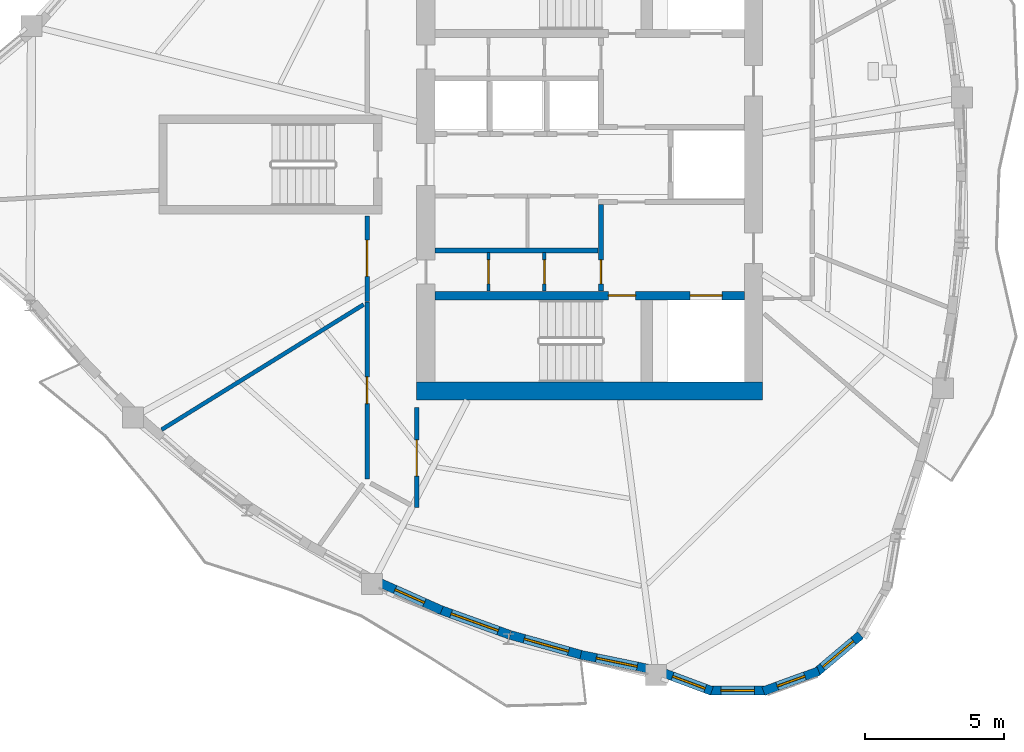
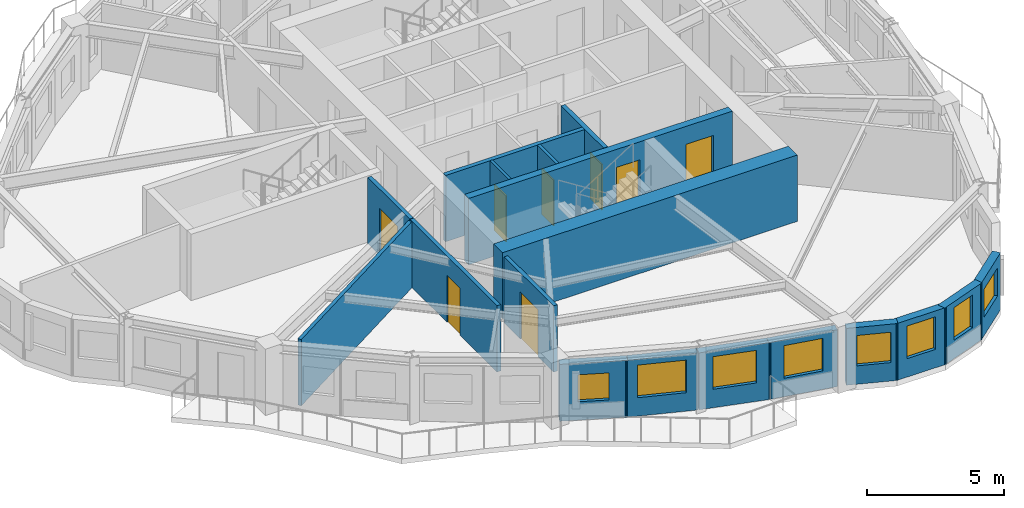
# One storey, part 3 of 12: 18 walls, 8 doors, 8 windows, 16 openings.
"""IFC4 building model written with IfcOpenShell, lengths in metres."""

from ifc_helpers import new_model, si_unit, direction, frame, frame_2d, origin, place, context, subcontext, project, spatial, rectangle, extrude, source, transform, mapped, material, layer, layer_set, type_object, element, fill, save


model = new_model("IFC4")

# Units and contexts
model_context = context("Model", 3, precision=1e-05, world=origin(), true_north=direction((0.0, 1.0)))
body_context = subcontext(model_context, "Body", "Model", "MODEL_VIEW")
ifc_project = project(units=[si_unit("LENGTHUNIT", "METRE"), si_unit("AREAUNIT", "SQUARE_METRE"), si_unit("VOLUMEUNIT", "CUBIC_METRE"), si_unit("PLANEANGLEUNIT", "RADIAN"), si_unit("MASSUNIT", "GRAM", prefix="KILO")], contexts=[model_context])

# Site, building, storey
site_placement = place(None, origin())
site = spatial("IfcSite", under=ifc_project, at=site_placement, CompositionType="ELEMENT")
building_placement = place(site_placement, origin())
building = spatial("IfcBuilding", under=site, at=building_placement, Name="Qafzar Sky-Pleat Residences", CompositionType="ELEMENT")
storey_placement = place(building_placement, frame((0.0, 0.0, 184.199951171875)))
storey = spatial("IfcBuildingStorey", under=building, at=storey_placement, Name="L55", CompositionType="ELEMENT", Elevation=184.199951171875)

# Wall, opening, door
ifc_material_1 = material(Name="Acoustic gypsum plasterboard partition", Category="gypsum")
ifc_layer_1 = layer(ifc_material_1, 0.159912109375)
ifc_layer_set_1 = layer_set([ifc_layer_1], Name="Acoustic gypsum plasterboard partition")
wall_type_1 = type_object("IfcWallType", Name="PART-COR-160", PredefinedType="PARTITIONING", material=ifc_layer_set_1)
wall_1_placement = place(storey_placement, frame((22.3701171875, 14.72998046875, 0.0), z_axis=(0.0, 0.0, 1.0), x_axis=(0.0, 1.0, 0.0)))
wall_1 = element("IfcWall", 1, at=wall_1_placement, inside=storey, type_object=wall_type_1, Name="L55 Partition Wall PART-L55-PW-002", PredefinedType="PARTITIONING", context=body_context, shape_type="SweptSolid", body=[
    extrude(rectangle(XDim=6.344970703125, YDim=0.159912109375, at=frame_2d((3.17236328125, 0.0))), origin(), (0.0, 0.0, 1.0), 2.949951171875),
])
opening_1_placement = place(wall_1_placement, frame((2.696533203125, 0.0, 0.0)))
opening_1 = element("IfcOpeningElement", 2, at=opening_1_placement, cuts=wall_1, Name="Opening ID-06", PredefinedType="OPENING", context=body_context, shape_type="SweptSolid", body=[
    extrude(rectangle(XDim=0.9599609375, YDim=2.10009765625, at=frame_2d((0.47998046875, 1.050048828125))), frame((0.0, 0.08984375, 0.0), z_axis=(0.0, -1.0, 0.0), x_axis=(1.0, 0.0, 0.0)), (0.0, 0.0, 1.0), 0.179931640625),
])
ifc_material_2 = material(Name="Timber-faced fire door", Category="wood")
door_type_1 = type_object("IfcDoorType", Name="DR-STD-960", OperationType="NOTDEFINED", PredefinedType="DOOR", material=ifc_material_2)
shared_shape_1 = source(origin(), body_context, "Body", "SweptSolid", [
    extrude(rectangle(XDim=0.9599609375, YDim=2.10009765625, at=frame_2d((0.47998046875, 1.050048828125))), frame((0.0, 0.02490234375, 0.0), z_axis=(0.0, -1.0, 0.0), x_axis=(1.0, 0.0, 0.0)), (0.0, 0.0, 1.0), 0.050048828125),
])
door_1_placement = place(opening_1_placement, origin())
door_1 = element("IfcDoor", 3, at=door_1_placement, inside=storey, type_object=door_type_1, Name="L55 Graduate Desk Workspace Door", OperationType="SINGLE_SWING_RIGHT", OverallHeight=2.10009765625, OverallWidth=0.9599609375, PredefinedType="DOOR", context=body_context, shape_type="MappedRepresentation", body=[
    mapped(shared_shape_1, transform((0.0, 0.0, 0.0), x_axis=(1.0, 0.0, 0.0), y_axis=(0.0, 1.0, 0.0), z_axis=(0.0, 0.0, 1.0), scale=1.0)),
])
fill(opening_1, door_1)

wall_2_placement = place(storey_placement, frame((24.14990234375, 17.2900390625, 0.0), z_axis=(0.0, 0.0, 1.0), x_axis=(0.0, -1.0, 0.0)))
wall_2 = element("IfcWall", 4, at=wall_2_placement, inside=storey, type_object=wall_type_1, Name="L55 Partition Wall PART-L55-PW-007", PredefinedType="PARTITIONING", context=body_context, shape_type="SweptSolid", body=[
    extrude(rectangle(XDim=3.593017578125, YDim=0.159912109375, at=frame_2d((1.79638671875, 0.0))), origin(), (0.0, 0.0, 1.0), 2.949951171875),
])
opening_2_placement = place(wall_2_placement, frame((1.159423828125, 0.0, 0.0)))
opening_2 = element("IfcOpeningElement", 5, at=opening_2_placement, cuts=wall_2, Name="Opening ID-05", PredefinedType="OPENING", context=body_context, shape_type="SweptSolid", body=[
    extrude(rectangle(XDim=1.300048828125, YDim=2.10009765625, at=frame_2d((0.64990234375, 1.050048828125))), frame((0.0, 0.08984375, 0.0), z_axis=(0.0, -1.0, 0.0), x_axis=(1.0, 0.0, 0.0)), (0.0, 0.0, 1.0), 0.179931640625),
])
door_type_2 = type_object("IfcDoorType", Name="DR-LNG-1300", OperationType="DOUBLE_DOOR_SINGLE_SWING", PredefinedType="DOOR", material=ifc_material_2)
shared_shape_2 = source(origin(), body_context, "Body", "SweptSolid", [
    extrude(rectangle(XDim=1.300048828125, YDim=2.10009765625, at=frame_2d((0.64990234375, 1.050048828125))), frame((0.0, 0.02490234375, 0.0), z_axis=(0.0, -1.0, 0.0), x_axis=(1.0, 0.0, 0.0)), (0.0, 0.0, 1.0), 0.050048828125),
])
door_2_placement = place(opening_2_placement, origin())
door_2 = element("IfcDoor", 6, at=door_2_placement, inside=storey, type_object=door_type_2, Name="L55 Academic Seminar Room Door", OperationType="DOUBLE_DOOR_SINGLE_SWING", OverallHeight=2.10009765625, OverallWidth=1.300048828125, PredefinedType="DOOR", context=body_context, shape_type="MappedRepresentation", body=[
    mapped(shared_shape_2, transform((0.0, 0.0, 0.0), x_axis=(1.0, 0.0, 0.0), y_axis=(0.0, 1.0, 0.0), z_axis=(0.0, 0.0, 1.0), scale=1.0)),
])
fill(opening_2, door_2)

wall_3_placement = place(storey_placement, frame((22.3701171875, 21.090087890625, 0.0), z_axis=(0.0, 0.0, 1.0), x_axis=(0.0, 1.0, 0.0)))
wall_3 = element("IfcWall", 7, at=wall_3_placement, inside=storey, type_object=wall_type_1, Name="L55 Partition Wall PART-L55-PW-009", PredefinedType="PARTITIONING", context=body_context, shape_type="SweptSolid", body=[
    extrude(rectangle(XDim=3.059814453125, YDim=0.159912109375, at=frame_2d((1.52978515625, 0.0))), origin(), (0.0, 0.0, 1.0), 2.949951171875),
])
opening_3_placement = place(wall_3_placement, frame((0.90087890625, 0.0, 0.0)))
opening_3 = element("IfcOpeningElement", 8, at=opening_3_placement, cuts=wall_3, Name="Opening ID-05", PredefinedType="OPENING", context=body_context, shape_type="SweptSolid", body=[
    extrude(rectangle(XDim=1.300048828125, YDim=2.10009765625, at=frame_2d((0.64990234375, 1.050048828125))), frame((0.0, 0.08984375, 0.0), z_axis=(0.0, -1.0, 0.0), x_axis=(1.0, 0.0, 0.0)), (0.0, 0.0, 1.0), 0.179931640625),
])
door_3_placement = place(opening_3_placement, origin())
door_3 = element("IfcDoor", 9, at=door_3_placement, inside=storey, type_object=door_type_2, Name="L55 Research Conference Room Door", OperationType="DOUBLE_DOOR_SINGLE_SWING", OverallHeight=2.10009765625, OverallWidth=1.300048828125, PredefinedType="DOOR", context=body_context, shape_type="MappedRepresentation", body=[
    mapped(shared_shape_2, transform((0.0, 0.0, 0.0), x_axis=(1.0, 0.0, 0.0), y_axis=(0.0, 1.0, 0.0), z_axis=(0.0, 0.0, 1.0), scale=1.0)),
])
fill(opening_3, door_3)

ifc_material_3 = material(Name="Concrete blockwork partition", Category="masonry")
ifc_layer_2 = layer(ifc_material_3, 0.179931640625)
ifc_layer_set_2 = layer_set([ifc_layer_2], Name="Concrete blockwork partition")
wall_type_2 = type_object("IfcWallType", Name="PART-SHAFT-180", PredefinedType="PARTITIONING", material=ifc_layer_set_2)
wall_4_placement = place(storey_placement, frame((30.75, 21.4599609375, 0.0), z_axis=(0.0, 0.0, 1.0), x_axis=(0.0, 1.0, 0.0)))
wall_4 = element("IfcWall", 10, at=wall_4_placement, inside=storey, type_object=wall_type_2, Name="L55 Partition Wall PART-L55-FFL1-W", PredefinedType="PARTITIONING", context=body_context, shape_type="SweptSolid", body=[
    extrude(rectangle(XDim=3.110107421875, YDim=0.179931640625, at=frame_2d((1.55517578125, 0.0))), origin(), (0.0, 0.0, 1.0), 2.949951171875),
])
opening_4_placement = place(wall_4_placement, frame((0.260009765625, 0.0, 0.0)))
opening_4 = element("IfcOpeningElement", 11, at=opening_4_placement, cuts=wall_4, Name="Opening ID-09", PredefinedType="OPENING", context=body_context, shape_type="SweptSolid", body=[
    extrude(rectangle(XDim=0.860107421875, YDim=2.050048828125, at=frame_2d((0.43017578125, 1.02490234375))), frame((0.0, 0.10009765625, 0.0), z_axis=(0.0, -1.0, 0.0), x_axis=(1.0, 0.0, 0.0)), (0.0, 0.0, 1.0), 0.199951171875),
])
door_type_3 = type_object("IfcDoorType", Name="DR-SVC-860", OperationType="NOTDEFINED", PredefinedType="DOOR", material=ifc_material_2)
shared_shape_3 = source(origin(), body_context, "Body", "SweptSolid", [
    extrude(rectangle(XDim=0.860107421875, YDim=2.050048828125, at=frame_2d((0.43017578125, 1.02490234375))), frame((0.0, 0.02490234375, 0.0), z_axis=(0.0, -1.0, 0.0), x_axis=(1.0, 0.0, 0.0)), (0.0, 0.0, 1.0), 0.050048828125),
])
door_4_placement = place(opening_4_placement, origin())
door_4 = element("IfcDoor", 12, at=door_4_placement, inside=storey, type_object=door_type_3, Name="L55 South Core Cupboard Door", OperationType="SINGLE_SWING_RIGHT", OverallHeight=2.050048828125, OverallWidth=0.860107421875, PredefinedType="DOOR", context=body_context, shape_type="MappedRepresentation", body=[
    mapped(shared_shape_3, transform((0.0, 0.0, 0.0), x_axis=(1.0, 0.0, 0.0), y_axis=(0.0, 1.0, 0.0), z_axis=(0.0, 0.0, 1.0), scale=1.0)),
])
fill(opening_4, door_4)

# Wall
wall_5_placement = place(storey_placement, frame((24.81005859375, 22.919921875, 0.0), z_axis=(0.0, 0.0, 1.0), x_axis=(1.0, 0.0, 0.0)))
element("IfcWall", 13, at=wall_5_placement, inside=storey, type_object=wall_type_2, Name="L55 Partition Wall PART-L55-P13-S", PredefinedType="PARTITIONING", context=body_context, shape_type="SweptSolid", body=[
    extrude(rectangle(XDim=5.83984375, YDim=0.179931640625, at=frame_2d((2.919921875, 0.0))), origin(), (0.0, 0.0, 1.0), 2.949951171875),
])

# Wall, opening, door
ifc_material_4 = material(Name="Gypsum plasterboard partition", Category="gypsum")
ifc_layer_3 = layer(ifc_material_4, 0.114990234375)
ifc_layer_set_3 = layer_set([ifc_layer_3], Name="Gypsum plasterboard partition")
wall_type_3 = type_object("IfcWallType", Name="PART-SVC-115", PredefinedType="PARTITIONING", material=ifc_layer_set_3)
wall_6_placement = place(storey_placement, frame((26.72509765625, 21.4599609375, 0.0), z_axis=(0.0, 0.0, 1.0), x_axis=(0.0, 1.0, 0.0)))
wall_6 = element("IfcWall", 14, at=wall_6_placement, inside=storey, type_object=wall_type_3, Name="L55 Partition Wall PART-L55-KC-SW-1", PredefinedType="PARTITIONING", context=body_context, shape_type="SweptSolid", body=[
    extrude(rectangle(XDim=1.380126953125, YDim=0.114990234375, at=frame_2d((0.68994140625, 0.0))), origin(), (0.0, 0.0, 1.0), 2.949951171875),
])
opening_5_placement = place(wall_6_placement, frame((0.260009765625, 0.0, 0.0)))
opening_5 = element("IfcOpeningElement", 15, at=opening_5_placement, cuts=wall_6, Name="Opening ID-09", PredefinedType="OPENING", context=body_context, shape_type="SweptSolid", body=[
    extrude(rectangle(XDim=0.860107421875, YDim=2.050048828125, at=frame_2d((0.43017578125, 1.02490234375))), frame((0.0, 0.0673828125, 0.0), z_axis=(0.0, -1.0, 0.0), x_axis=(1.0, 0.0, 0.0)), (0.0, 0.0, 1.0), 0.135009765625),
])
door_5_placement = place(opening_5_placement, origin())
door_5 = element("IfcDoor", 16, at=door_5_placement, inside=storey, type_object=door_type_3, Name="L55 Core South Cupboard 1 Door", OperationType="SINGLE_SWING_RIGHT", OverallHeight=2.050048828125, OverallWidth=0.860107421875, PredefinedType="DOOR", context=body_context, shape_type="MappedRepresentation", body=[
    mapped(shared_shape_3, transform((0.0, 0.0, 0.0), x_axis=(1.0, 0.0, 0.0), y_axis=(0.0, 1.0, 0.0), z_axis=(0.0, 0.0, 1.0), scale=1.0)),
])
fill(opening_5, door_5)

wall_7_placement = place(storey_placement, frame((28.72509765625, 21.4599609375, 0.0), z_axis=(0.0, 0.0, 1.0), x_axis=(0.0, 1.0, 0.0)))
wall_7 = element("IfcWall", 17, at=wall_7_placement, inside=storey, type_object=wall_type_3, Name="L55 Partition Wall PART-L55-KC-SW-2", PredefinedType="PARTITIONING", context=body_context, shape_type="SweptSolid", body=[
    extrude(rectangle(XDim=1.380126953125, YDim=0.114990234375, at=frame_2d((0.68994140625, 0.0))), origin(), (0.0, 0.0, 1.0), 2.949951171875),
])
opening_6_placement = place(wall_7_placement, frame((0.260009765625, 0.0, 0.0)))
opening_6 = element("IfcOpeningElement", 18, at=opening_6_placement, cuts=wall_7, Name="Opening ID-09", PredefinedType="OPENING", context=body_context, shape_type="SweptSolid", body=[
    extrude(rectangle(XDim=0.860107421875, YDim=2.050048828125, at=frame_2d((0.43017578125, 1.02490234375))), frame((0.0, 0.0673828125, 0.0), z_axis=(0.0, -1.0, 0.0), x_axis=(1.0, 0.0, 0.0)), (0.0, 0.0, 1.0), 0.135009765625),
])
door_6_placement = place(opening_6_placement, origin())
door_6 = element("IfcDoor", 19, at=door_6_placement, inside=storey, type_object=door_type_3, Name="L55 Core South Cupboard 2 Door", OperationType="SINGLE_SWING_RIGHT", OverallHeight=2.050048828125, OverallWidth=0.860107421875, PredefinedType="DOOR", context=body_context, shape_type="MappedRepresentation", body=[
    mapped(shared_shape_3, transform((0.0, 0.0, 0.0), x_axis=(1.0, 0.0, 0.0), y_axis=(0.0, 1.0, 0.0), z_axis=(0.0, 0.0, 1.0), scale=1.0)),
])
fill(opening_6, door_6)

# Wall
ifc_layer_4 = layer(ifc_material_1, 0.14501953125)
ifc_layer_set_4 = layer_set([ifc_layer_4], Name="Acoustic gypsum plasterboard partition")
wall_type_4 = type_object("IfcWallType", Name="PART-UNIT-145", PredefinedType="PARTITIONING", material=ifc_layer_set_4)
wall_8_placement = place(storey_placement, frame((15.002197265625, 16.494140625, 0.0), z_axis=(0.0, 0.0, 1.0), x_axis=(0.850179022177, 0.5264937134, 0.0)))
element("IfcWall", 20, at=wall_8_placement, inside=storey, type_object=wall_type_4, Name="L55 Partition Wall PART-L55-PW-012", PredefinedType="PARTITIONING", context=body_context, shape_type="SweptSolid", body=[
    extrude(rectangle(XDim=8.519287109375, YDim=0.14501953125, at=frame_2d((4.259765625, 0.0))), origin(), (0.0, 0.0, 1.0), 2.949951171875),
])

# Wall, opening, window
ifc_material_5 = material(Name="Precast concrete C40/50 with honed Riyadh limestone", Category="concrete")
ifc_layer_5 = layer(ifc_material_5, 0.320068359375)
ifc_layer_set_5 = layer_set([ifc_layer_5], Name="Precast concrete C40/50 with honed Riyadh limestone")
wall_type_5 = type_object("IfcWallType", Name="WALL-EXT-320", PredefinedType="SOLIDWALL", material=ifc_layer_set_5)
wall_9_placement = place(storey_placement, frame((22.763671875, 11.03076171875, 0.0), z_axis=(0.0, 0.0, 1.0), x_axis=(0.913148933567, -0.407626084942, 0.0)))
wall_9 = element("IfcWall", 21, at=wall_9_placement, inside=storey, type_object=wall_type_5, Name="L55 Limestone Facade Wall 13", PredefinedType="SOLIDWALL", context=body_context, shape_type="SweptSolid", body=[
    extrude(rectangle(XDim=2.496337890625, YDim=0.320068359375, at=frame_2d((1.248046875, 0.0))), origin(), (0.0, 0.0, 1.0), 2.530029296875),
])
opening_7_placement = place(wall_9_placement, frame((0.668212890625, 0.0, 0.820068359375)))
opening_7 = element("IfcOpeningElement", 22, at=opening_7_placement, cuts=wall_9, Name="Opening WN-16", PredefinedType="OPENING", context=body_context, shape_type="SweptSolid", body=[
    extrude(rectangle(XDim=1.14990234375, YDim=1.199951171875, at=frame_2d((0.574951171875, 0.60009765625))), frame((0.0, 0.169921875, 0.0), z_axis=(0.0, -1.0, 0.0), x_axis=(1.0, 0.0, 0.0)), (0.0, 0.0, 1.0), 0.340087890625),
])
ifc_material_6 = material(Name="Solar-control low-E glass in bronze aluminium frame", Category="glass")
window_type_1 = type_object("IfcWindowType", Name="WIN-16", PartitioningType="SINGLE_PANEL", PredefinedType="WINDOW", material=ifc_material_6)
shared_shape_4 = source(origin(), body_context, "Body", "SweptSolid", [
    extrude(rectangle(XDim=1.14990234375, YDim=1.199951171875, at=frame_2d((0.574951171875, 0.60009765625))), frame((0.0, 0.030029296875, 0.0), z_axis=(0.0, -1.0, 0.0), x_axis=(1.0, 0.0, 0.0)), (0.0, 0.0, 1.0), 0.06005859375),
])
window_1_placement = place(opening_7_placement, origin())
window_1 = element("IfcWindow", 23, at=window_1_placement, inside=storey, type_object=window_type_1, Name="L55 Punched Facade Window 13", OverallHeight=1.199951171875, OverallWidth=1.14990234375, PartitioningType="SINGLE_PANEL", PredefinedType="WINDOW", context=body_context, shape_type="MappedRepresentation", body=[
    mapped(shared_shape_4, transform((0.0, 0.0, 0.0), x_axis=(1.0, 0.0, 0.0), y_axis=(0.0, 1.0, 0.0), z_axis=(0.0, 0.0, 1.0), scale=1.0)),
])
fill(opening_7, window_1)

wall_10_placement = place(storey_placement, frame((24.961669921875, 10.046142578125, 0.0), z_axis=(0.0, 0.0, 1.0), x_axis=(0.940882751101, -0.33873241457, 0.0)))
wall_10 = element("IfcWall", 24, at=wall_10_placement, inside=storey, type_object=wall_type_5, Name="L55 Limestone Facade Wall 14", PredefinedType="SOLIDWALL", context=body_context, shape_type="SweptSolid", body=[
    extrude(rectangle(XDim=2.671142578125, YDim=0.320068359375, at=frame_2d((1.33544921875, 0.0))), origin(), (0.0, 0.0, 1.0), 2.530029296875),
])
opening_8_placement = place(wall_10_placement, frame((0.445556640625, 0.0, 0.820068359375)))
opening_8 = element("IfcOpeningElement", 25, at=opening_8_placement, cuts=wall_10, Name="Opening WN-01", PredefinedType="OPENING", context=body_context, shape_type="SweptSolid", body=[
    extrude(rectangle(XDim=1.800048828125, YDim=1.449951171875, at=frame_2d((0.89990234375, 0.72509765625))), frame((0.0, 0.169921875, 0.0), z_axis=(0.0, -1.0, 0.0), x_axis=(1.0, 0.0, 0.0)), (0.0, 0.0, 1.0), 0.340087890625),
])
window_type_2 = type_object("IfcWindowType", Name="WIN-01", PartitioningType="DOUBLE_PANEL_VERTICAL", PredefinedType="WINDOW", material=ifc_material_6)
shared_shape_5 = source(origin(), body_context, "Body", "SweptSolid", [
    extrude(rectangle(XDim=1.800048828125, YDim=1.449951171875, at=frame_2d((0.89990234375, 0.72509765625))), frame((0.0, 0.030029296875, 0.0), z_axis=(0.0, -1.0, 0.0), x_axis=(1.0, 0.0, 0.0)), (0.0, 0.0, 1.0), 0.06005859375),
])
window_2_placement = place(opening_8_placement, origin())
window_2 = element("IfcWindow", 26, at=window_2_placement, inside=storey, type_object=window_type_2, Name="L55 Punched Facade Window 14", OverallHeight=1.449951171875, OverallWidth=1.800048828125, PartitioningType="SINGLE_PANEL", PredefinedType="WINDOW", context=body_context, shape_type="MappedRepresentation", body=[
    mapped(shared_shape_5, transform((0.0, 0.0, 0.0), x_axis=(1.0, 0.0, 0.0), y_axis=(0.0, 1.0, 0.0), z_axis=(0.0, 0.0, 1.0), scale=1.0)),
])
fill(opening_8, window_2)

wall_11_placement = place(storey_placement, frame((27.501953125, 9.1328125, 0.0), z_axis=(0.0, 0.0, 1.0), x_axis=(0.962852806557, -0.270026800345, 0.0)))
wall_11 = element("IfcWall", 27, at=wall_11_placement, inside=storey, type_object=wall_type_5, Name="L55 Limestone Facade Wall 15", PredefinedType="SOLIDWALL", context=body_context, shape_type="SweptSolid", body=[
    extrude(rectangle(XDim=2.715087890625, YDim=0.320068359375, at=frame_2d((1.357421875, 0.0))), origin(), (0.0, 0.0, 1.0), 2.530029296875),
])
opening_9_placement = place(wall_11_placement, frame((0.522705078125, 0.0, 0.820068359375)))
opening_9 = element("IfcOpeningElement", 28, at=opening_9_placement, cuts=wall_11, Name="Opening WN-02", PredefinedType="OPENING", context=body_context, shape_type="SweptSolid", body=[
    extrude(rectangle(XDim=1.64990234375, YDim=1.449951171875, at=frame_2d((0.824951171875, 0.72509765625))), frame((0.0, 0.169921875, 0.0), z_axis=(0.0, -1.0, 0.0), x_axis=(1.0, 0.0, 0.0)), (0.0, 0.0, 1.0), 0.340087890625),
])
window_type_3 = type_object("IfcWindowType", Name="WIN-02", PartitioningType="DOUBLE_PANEL_VERTICAL", PredefinedType="WINDOW", material=ifc_material_6)
shared_shape_6 = source(origin(), body_context, "Body", "SweptSolid", [
    extrude(rectangle(XDim=1.64990234375, YDim=1.449951171875, at=frame_2d((0.824951171875, 0.72509765625))), frame((0.0, 0.030029296875, 0.0), z_axis=(0.0, -1.0, 0.0), x_axis=(1.0, 0.0, 0.0)), (0.0, 0.0, 1.0), 0.06005859375),
])
window_3_placement = place(opening_9_placement, origin())
window_3 = element("IfcWindow", 29, at=window_3_placement, inside=storey, type_object=window_type_3, Name="L55 Punched Facade Window 15", OverallHeight=1.449951171875, OverallWidth=1.64990234375, PartitioningType="SINGLE_PANEL", PredefinedType="WINDOW", context=body_context, shape_type="MappedRepresentation", body=[
    mapped(shared_shape_6, transform((0.0, 0.0, 0.0), x_axis=(1.0, 0.0, 0.0), y_axis=(0.0, 1.0, 0.0), z_axis=(0.0, 0.0, 1.0), scale=1.0)),
])
fill(opening_9, window_3)

wall_12_placement = place(storey_placement, frame((30.03173828125, 8.42041015625, 0.0), z_axis=(0.0, 0.0, 1.0), x_axis=(0.979291555144, -0.202455056799, 0.0)))
wall_12 = element("IfcWall", 30, at=wall_12_placement, inside=storey, type_object=wall_type_5, Name="L55 Limestone Facade Wall 16", PredefinedType="SOLIDWALL", context=body_context, shape_type="SweptSolid", body=[
    extrude(rectangle(XDim=2.627685546875, YDim=0.320068359375, at=frame_2d((1.31396484375, 0.0))), origin(), (0.0, 0.0, 1.0), 2.530029296875),
])
opening_10_placement = place(wall_12_placement, frame((0.56884765625, 0.0, 0.820068359375)))
opening_10 = element("IfcOpeningElement", 31, at=opening_10_placement, cuts=wall_12, Name="Opening WN-03", PredefinedType="OPENING", context=body_context, shape_type="SweptSolid", body=[
    extrude(rectangle(XDim=1.5, YDim=1.449951171875, at=frame_2d((0.75, 0.72509765625))), frame((0.0, 0.169921875, 0.0), z_axis=(0.0, -1.0, 0.0), x_axis=(1.0, 0.0, 0.0)), (0.0, 0.0, 1.0), 0.340087890625),
])
window_type_4 = type_object("IfcWindowType", Name="WIN-03", PartitioningType="DOUBLE_PANEL_VERTICAL", PredefinedType="WINDOW", material=ifc_material_6)
shared_shape_7 = source(origin(), body_context, "Body", "SweptSolid", [
    extrude(rectangle(XDim=1.5, YDim=1.449951171875, at=frame_2d((0.75, 0.72509765625))), frame((0.0, 0.030029296875, 0.0), z_axis=(0.0, -1.0, 0.0), x_axis=(1.0, 0.0, 0.0)), (0.0, 0.0, 1.0), 0.06005859375),
])
window_4_placement = place(opening_10_placement, origin())
window_4 = element("IfcWindow", 32, at=window_4_placement, inside=storey, type_object=window_type_4, Name="L55 Punched Facade Window 16", OverallHeight=1.449951171875, OverallWidth=1.5, PartitioningType="SINGLE_PANEL", PredefinedType="WINDOW", context=body_context, shape_type="MappedRepresentation", body=[
    mapped(shared_shape_7, transform((0.0, 0.0, 0.0), x_axis=(1.0, 0.0, 0.0), y_axis=(0.0, 1.0, 0.0), z_axis=(0.0, 0.0, 1.0), scale=1.0)),
])
fill(opening_10, window_4)

wall_13_placement = place(storey_placement, frame((32.944580078125, 7.79052734375, 0.0), z_axis=(0.0, 0.0, 1.0), x_axis=(0.93690697627, -0.349578771977, 0.0)))
wall_13 = element("IfcWall", 33, at=wall_13_placement, inside=storey, type_object=wall_type_5, Name="L55 Limestone Facade Wall 17", PredefinedType="SOLIDWALL", context=body_context, shape_type="SweptSolid", body=[
    extrude(rectangle(XDim=1.906005859375, YDim=0.320068359375, at=frame_2d((0.953125, 0.0))), origin(), (0.0, 0.0, 1.0), 2.530029296875),
])
opening_11_placement = place(wall_13_placement, frame((0.40283203125, 0.0, 0.820068359375)))
opening_11 = element("IfcOpeningElement", 34, at=opening_11_placement, cuts=wall_13, Name="Opening WN-11", PredefinedType="OPENING", context=body_context, shape_type="SweptSolid", body=[
    extrude(rectangle(XDim=1.25, YDim=1.35009765625, at=frame_2d((0.625, 0.675048828125))), frame((0.0, 0.169921875, 0.0), z_axis=(0.0, -1.0, 0.0), x_axis=(1.0, 0.0, 0.0)), (0.0, 0.0, 1.0), 0.340087890625),
])
window_type_5 = type_object("IfcWindowType", Name="WIN-11", PartitioningType="SINGLE_PANEL", PredefinedType="WINDOW", material=ifc_material_6)
shared_shape_8 = source(origin(), body_context, "Body", "SweptSolid", [
    extrude(rectangle(XDim=1.25, YDim=1.35009765625, at=frame_2d((0.625, 0.675048828125))), frame((0.0, 0.030029296875, 0.0), z_axis=(0.0, -1.0, 0.0), x_axis=(1.0, 0.0, 0.0)), (0.0, 0.0, 1.0), 0.06005859375),
])
window_5_placement = place(opening_11_placement, origin())
window_5 = element("IfcWindow", 35, at=window_5_placement, inside=storey, type_object=window_type_5, Name="L55 Punched Facade Window 17", OverallHeight=1.35009765625, OverallWidth=1.25, PartitioningType="SINGLE_PANEL", PredefinedType="WINDOW", context=body_context, shape_type="MappedRepresentation", body=[
    mapped(shared_shape_8, transform((0.0, 0.0, 0.0), x_axis=(1.0, 0.0, 0.0), y_axis=(0.0, 1.0, 0.0), z_axis=(0.0, 0.0, 1.0), scale=1.0)),
])
fill(opening_11, window_5)

wall_14_placement = place(storey_placement, frame((34.6015625, 7.14794921875, 0.0), z_axis=(0.0, 0.0, 1.0), x_axis=(0.9999881768, -0.004862742089, 0.0)))
wall_14 = element("IfcWall", 36, at=wall_14_placement, inside=storey, type_object=wall_type_5, Name="L55 Limestone Facade Wall 18", PredefinedType="SOLIDWALL", context=body_context, shape_type="SweptSolid", body=[
    extrude(rectangle(XDim=2.108642578125, YDim=0.320068359375, at=frame_2d((1.05419921875, 0.0))), origin(), (0.0, 0.0, 1.0), 2.530029296875),
])
opening_12_placement = place(wall_14_placement, frame((0.454345703125, 0.0, 0.820068359375)))
opening_12 = element("IfcOpeningElement", 37, at=opening_12_placement, cuts=wall_14, Name="Opening WN-05", PredefinedType="OPENING", context=body_context, shape_type="SweptSolid", body=[
    extrude(rectangle(XDim=1.199951171875, YDim=1.449951171875, at=frame_2d((0.60009765625, 0.72509765625))), frame((0.0, 0.169921875, 0.0), z_axis=(0.0, -1.0, 0.0), x_axis=(1.0, 0.0, 0.0)), (0.0, 0.0, 1.0), 0.340087890625),
])
window_type_6 = type_object("IfcWindowType", Name="WIN-05", PartitioningType="SINGLE_PANEL", PredefinedType="WINDOW", material=ifc_material_6)
shared_shape_9 = source(origin(), body_context, "Body", "SweptSolid", [
    extrude(rectangle(XDim=1.199951171875, YDim=1.449951171875, at=frame_2d((0.60009765625, 0.72509765625))), frame((0.0, 0.030029296875, 0.0), z_axis=(0.0, -1.0, 0.0), x_axis=(1.0, 0.0, 0.0)), (0.0, 0.0, 1.0), 0.06005859375),
])
window_6_placement = place(opening_12_placement, origin())
window_6 = element("IfcWindow", 38, at=window_6_placement, inside=storey, type_object=window_type_6, Name="L55 Punched Facade Window 18", OverallHeight=1.449951171875, OverallWidth=1.199951171875, PartitioningType="SINGLE_PANEL", PredefinedType="WINDOW", context=body_context, shape_type="MappedRepresentation", body=[
    mapped(shared_shape_9, transform((0.0, 0.0, 0.0), x_axis=(1.0, 0.0, 0.0), y_axis=(0.0, 1.0, 0.0), z_axis=(0.0, 0.0, 1.0), scale=1.0)),
])
fill(opening_12, window_6)

wall_15_placement = place(storey_placement, frame((36.581298828125, 7.115234375, 0.0), z_axis=(0.0, 0.0, 1.0), x_axis=(0.940205133241, 0.340608730698, 0.0)))
wall_15 = element("IfcWall", 39, at=wall_15_placement, inside=storey, type_object=wall_type_5, Name="L55 Limestone Facade Wall 19", PredefinedType="SOLIDWALL", context=body_context, shape_type="SweptSolid", body=[
    extrude(rectangle(XDim=2.108642578125, YDim=0.320068359375, at=frame_2d((1.05419921875, 0.0))), origin(), (0.0, 0.0, 1.0), 2.530029296875),
])
opening_13_placement = place(wall_15_placement, frame((0.529296875, 0.0, 0.820068359375)))
opening_13 = element("IfcOpeningElement", 40, at=opening_13_placement, cuts=wall_15, Name="Opening WN-06", PredefinedType="OPENING", context=body_context, shape_type="SweptSolid", body=[
    extrude(rectangle(XDim=1.050048828125, YDim=1.449951171875, at=frame_2d((0.52490234375, 0.72509765625))), frame((0.0, 0.169921875, 0.0), z_axis=(0.0, -1.0, 0.0), x_axis=(1.0, 0.0, 0.0)), (0.0, 0.0, 1.0), 0.340087890625),
])
window_type_7 = type_object("IfcWindowType", Name="WIN-06", PartitioningType="SINGLE_PANEL", PredefinedType="WINDOW", material=ifc_material_6)
shared_shape_10 = source(origin(), body_context, "Body", "SweptSolid", [
    extrude(rectangle(XDim=1.050048828125, YDim=1.449951171875, at=frame_2d((0.52490234375, 0.72509765625))), frame((0.0, 0.030029296875, 0.0), z_axis=(0.0, -1.0, 0.0), x_axis=(1.0, 0.0, 0.0)), (0.0, 0.0, 1.0), 0.06005859375),
])
window_7_placement = place(opening_13_placement, origin())
window_7 = element("IfcWindow", 41, at=window_7_placement, inside=storey, type_object=window_type_7, Name="L55 Punched Facade Window 19", OverallHeight=1.449951171875, OverallWidth=1.050048828125, PartitioningType="SINGLE_PANEL", PredefinedType="WINDOW", context=body_context, shape_type="MappedRepresentation", body=[
    mapped(shared_shape_10, transform((0.0, 0.0, 0.0), x_axis=(1.0, 0.0, 0.0), y_axis=(0.0, 1.0, 0.0), z_axis=(0.0, 0.0, 1.0), scale=1.0)),
])
fill(opening_13, window_7)

wall_16_placement = place(storey_placement, frame((38.45068359375, 7.767822265625, 0.0), z_axis=(0.0, 0.0, 1.0), x_axis=(0.764947219724, 0.644092967697, 0.0)))
wall_16 = element("IfcWall", 42, at=wall_16_placement, inside=storey, type_object=wall_type_5, Name="L55 Limestone Facade Wall 20", PredefinedType="SOLIDWALL", context=body_context, shape_type="SweptSolid", body=[
    extrude(rectangle(XDim=2.109130859375, YDim=0.320068359375, at=frame_2d((1.0546875, 0.0))), origin(), (0.0, 0.0, 1.0), 2.530029296875),
])
opening_14_placement = place(wall_16_placement, frame((0.329345703125, 0.0, 0.820068359375)))
opening_14 = element("IfcOpeningElement", 43, at=opening_14_placement, cuts=wall_16, Name="Opening WN-15", PredefinedType="OPENING", context=body_context, shape_type="SweptSolid", body=[
    extrude(rectangle(XDim=1.449951171875, YDim=1.25, at=frame_2d((0.72509765625, 0.625))), frame((0.0, 0.169921875, 0.0), z_axis=(0.0, -1.0, 0.0), x_axis=(1.0, 0.0, 0.0)), (0.0, 0.0, 1.0), 0.340087890625),
])
window_type_8 = type_object("IfcWindowType", Name="WIN-15", PartitioningType="SINGLE_PANEL", PredefinedType="WINDOW", material=ifc_material_6)
shared_shape_11 = source(origin(), body_context, "Body", "SweptSolid", [
    extrude(rectangle(XDim=1.449951171875, YDim=1.25, at=frame_2d((0.72509765625, 0.625))), frame((0.0, 0.030029296875, 0.0), z_axis=(0.0, -1.0, 0.0), x_axis=(1.0, 0.0, 0.0)), (0.0, 0.0, 1.0), 0.06005859375),
])
window_8_placement = place(opening_14_placement, origin())
window_8 = element("IfcWindow", 44, at=window_8_placement, inside=storey, type_object=window_type_8, Name="L55 Punched Facade Window 20", OverallHeight=1.25, OverallWidth=1.449951171875, PartitioningType="SINGLE_PANEL", PredefinedType="WINDOW", context=body_context, shape_type="MappedRepresentation", body=[
    mapped(shared_shape_11, transform((0.0, 0.0, 0.0), x_axis=(1.0, 0.0, 0.0), y_axis=(0.0, 1.0, 0.0), z_axis=(0.0, 0.0, 1.0), scale=1.0)),
])
fill(opening_14, window_8)

# Wall, openings, doors
ifc_material_7 = material(Name="Concrete C60/75", Category="concrete")
ifc_layer_6 = layer(ifc_material_7, 0.300048828125)
ifc_layer_set_6 = layer_set([ifc_layer_6], Name="Concrete C60/75")
wall_type_6 = type_object("IfcWallType", Name="WALL-SHEAR-300", PredefinedType="SHEAR", material=ifc_layer_set_6)
wall_17_placement = place(storey_placement, frame((24.800048828125, 21.300048828125, 0.0), z_axis=(0.0, 0.0, 1.0), x_axis=(1.0, 0.0, 0.0)))
wall_17 = element("IfcWall", 45, at=wall_17_placement, inside=storey, type_object=wall_type_6, Name="L55 Stair ST1 and FF1 Shaft North Wall", PredefinedType="SHEAR", context=body_context, shape_type="SweptSolid", body=[
    extrude(rectangle(XDim=11.099853515625, YDim=0.300048828125, at=frame_2d((5.5498046875, 0.0))), origin(), (0.0, 0.0, 1.0), 2.949951171875),
])
opening_15_placement = place(wall_17_placement, frame((6.219970703125, 0.0, 0.0)))
opening_15 = element("IfcOpeningElement", 46, at=opening_15_placement, cuts=wall_17, Name="Opening ID-01", PredefinedType="OPENING", context=body_context, shape_type="SweptSolid", body=[
    extrude(rectangle(XDim=0.97998046875, YDim=2.14990234375, at=frame_2d((0.489990234375, 1.074951171875))), frame((0.0, 0.16015625, 0.0), z_axis=(0.0, -1.0, 0.0), x_axis=(1.0, 0.0, 0.0)), (0.0, 0.0, 1.0), 0.320068359375),
])
opening_16_placement = place(wall_17_placement, frame((9.14990234375, 0.0, 0.0)))
opening_16 = element("IfcOpeningElement", 47, at=opening_16_placement, cuts=wall_17, Name="Opening LD-02", PredefinedType="OPENING", context=body_context, shape_type="SweptSolid", body=[
    extrude(rectangle(XDim=1.14990234375, YDim=2.14990234375, at=frame_2d((0.574951171875, 1.074951171875))), frame((0.0, 0.16015625, 0.0), z_axis=(0.0, -1.0, 0.0), x_axis=(1.0, 0.0, 0.0)), (0.0, 0.0, 1.0), 0.320068359375),
])
door_type_4 = type_object("IfcDoorType", Name="DR-STAIR-980", OperationType="NOTDEFINED", PredefinedType="DOOR", material=ifc_material_2)
shared_shape_12 = source(origin(), body_context, "Body", "SweptSolid", [
    extrude(rectangle(XDim=0.97998046875, YDim=2.14990234375, at=frame_2d((0.489990234375, 1.074951171875))), frame((0.0, 0.02490234375, 0.0), z_axis=(0.0, -1.0, 0.0), x_axis=(1.0, 0.0, 0.0)), (0.0, 0.0, 1.0), 0.050048828125),
])
door_7_placement = place(opening_15_placement, origin())
door_7 = element("IfcDoor", 48, at=door_7_placement, inside=storey, type_object=door_type_4, Name="L55 Stair ST1 Fire Door", OperationType="SINGLE_SWING_LEFT", OverallHeight=2.14990234375, OverallWidth=0.97998046875, PredefinedType="DOOR", context=body_context, shape_type="MappedRepresentation", body=[
    mapped(shared_shape_12, transform((0.0, 0.0, 0.0), x_axis=(1.0, 0.0, 0.0), y_axis=(0.0, 1.0, 0.0), z_axis=(0.0, 0.0, 1.0), scale=1.0)),
])
fill(opening_15, door_7)
ifc_material_8 = material(Name="Stainless steel sliding landing door", Category="steel")
door_type_5 = type_object("IfcDoorType", Name="DR-LIFT-FF", OperationType="DOUBLE_DOOR_SLIDING", PredefinedType="DOOR", material=ifc_material_8)
shared_shape_13 = source(origin(), body_context, "Body", "SweptSolid", [
    extrude(rectangle(XDim=1.14990234375, YDim=2.14990234375, at=frame_2d((0.574951171875, 1.074951171875))), frame((0.0, 0.02490234375, 0.0), z_axis=(0.0, -1.0, 0.0), x_axis=(1.0, 0.0, 0.0)), (0.0, 0.0, 1.0), 0.050048828125),
])
door_8_placement = place(opening_16_placement, origin())
door_8 = element("IfcDoor", 49, at=door_8_placement, inside=storey, type_object=door_type_5, Name="L55 Firefighting Lift FF1 Landing Door", OperationType="DOUBLE_DOOR_SLIDING", OverallHeight=2.14990234375, OverallWidth=1.14990234375, PredefinedType="DOOR", context=body_context, shape_type="MappedRepresentation", body=[
    mapped(shared_shape_13, transform((0.0, 0.0, 0.0), x_axis=(1.0, 0.0, 0.0), y_axis=(0.0, 1.0, 0.0), z_axis=(0.0, 0.0, 1.0), scale=1.0)),
])
fill(opening_16, door_8)

# Wall
ifc_layer_7 = layer(ifc_material_7, 0.64990234375)
ifc_layer_set_7 = layer_set([ifc_layer_7], Name="Concrete C60/75")
wall_type_7 = type_object("IfcWallType", Name="WALL-SHEAR-650", PredefinedType="SHEAR", material=ifc_layer_set_7)
wall_18_placement = place(storey_placement, frame((24.14990234375, 17.875, 0.0), z_axis=(0.0, 0.0, 1.0), x_axis=(1.0, 0.0, 0.0)))
element("IfcWall", 50, at=wall_18_placement, inside=storey, type_object=wall_type_7, Name="L55 CORE wall S", PredefinedType="SHEAR", context=body_context, shape_type="SweptSolid", body=[
    extrude(rectangle(XDim=12.400146484375, YDim=0.64990234375, at=frame_2d((6.2001953125, 0.0))), origin(), (0.0, 0.0, 1.0), 2.949951171875),
])

save(model, "model.ifc")
